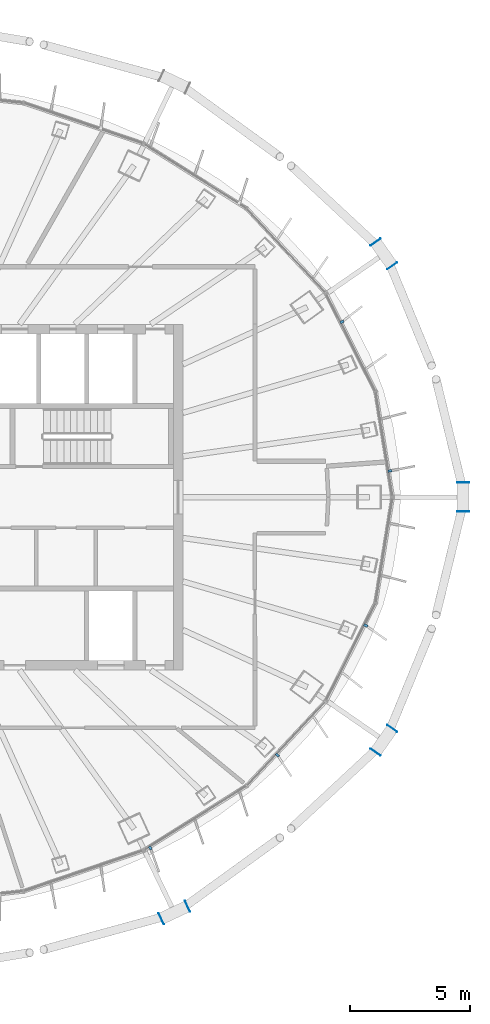
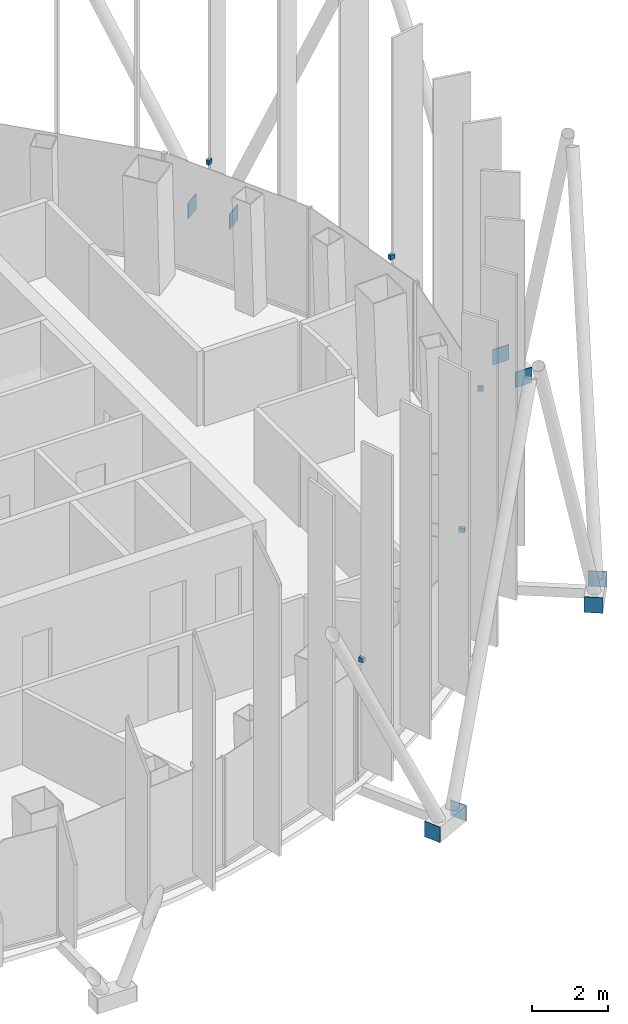
# One storey, part 14 of 19: 13 discrete accessories.
"""IFC4 building model written with IfcOpenShell, lengths in metres."""

from ifc_helpers import new_model, si_unit, direction, frame, origin, origin_2d, place, context, subcontext, project, spatial, rectangle, extrude, material, layer, layer_set, type_object, element, save


model = new_model("IFC4")

# Units and contexts
model_context = context("Model", 3, precision=1e-05, world=origin(), true_north=direction((0.0, 1.0)))
body_context = subcontext(model_context, "Body", "Model", "MODEL_VIEW")
ifc_project = project(units=[si_unit("LENGTHUNIT", "METRE"), si_unit("AREAUNIT", "SQUARE_METRE"), si_unit("VOLUMEUNIT", "CUBIC_METRE"), si_unit("PLANEANGLEUNIT", "RADIAN"), si_unit("MASSUNIT", "GRAM", prefix="KILO")], contexts=[model_context])

# Site, building, storey
site_placement = place(None, origin())
site = spatial("IfcSite", under=ifc_project, at=site_placement, CompositionType="ELEMENT")
building_placement = place(site_placement, origin())
building = spatial("IfcBuilding", under=site, at=building_placement, Name="Siaravel Broadcast Tower", CompositionType="ELEMENT")
storey_placement = place(building_placement, frame((0.0, 0.0, 250.39990234375)))
storey = spatial("IfcBuildingStorey", under=building, at=storey_placement, Name="L61", CompositionType="ELEMENT", Elevation=250.39990234375)

# Discrete accessories
ifc_material_1 = material(Name="Stainless steel 316", Category="steel")
discrete_accessory_type_1 = type_object("IfcDiscreteAccessoryType", Name="Stainless steel fin bracket", PredefinedType="USERDEFINED", material=ifc_material_1)
for number, where, z_axis, x_axis, name in (
    (1, (20.618896484375, 1.092529296875, 3.67529296875), (0.0, 0.0, 1.0), (0.987329198, 0.158685394, 0.0), "Fin bracket L61-01"),
    (2, (18.6259765625, 7.302734375, 3.67529296875), (0.0, 0.0, 1.0), (0.892392939, 0.451259174, 0.0), "Fin bracket L61-04"),
    (3, (10.645263671875, -14.611083984375, 3.67529296875), (0.0, 0.0, 1.0), (0.53215093, -0.846649507, 0.0), "Fin bracket L61-46"),
    (4, (15.935302734375, -10.741943359375, 3.67529296875), (0.0, 0.0, 1.0), (0.729806802, -0.683653445, 0.0), "Fin bracket L61-49"),
    (5, (19.6162109375, -5.3447265625, 3.67529296875), (0.0, 0.0, 1.0), (0.892392939, -0.451259174, 0.0), "Fin bracket L61-52"),
):
    element("IfcDiscreteAccessory", number, at=place(storey_placement, frame(where, z_axis=z_axis, x_axis=x_axis)), inside=storey, type_object=discrete_accessory_type_1, Name=name, ObjectType="BRACKET", PredefinedType="USERDEFINED", context=body_context, shape_type="SweptSolid", body=[
        extrude(rectangle(XDim=0.159912109375, YDim=0.10009765625, at=origin_2d()), origin(), (0.0, 0.0, 1.0), 0.139892578125),
    ])
ifc_material_2 = material(Name="Steel S355", Category="steel")
ifc_layer = layer(ifc_material_2, 0.02001953125)
ifc_layer_set = layer_set([ifc_layer], Name="Steel S355")
discrete_accessory_type_2 = type_object("IfcDiscreteAccessoryType", Name="Steel end plate 20 mm", PredefinedType="USERDEFINED", material=ifc_layer_set)
for number, where, z_axis, x_axis, name in (
    (6, (23.667724609375, 0.603515625, -0.449951171875), (0.0, 0.0, 1.0), (0.0, 1.0, 0.0), "End plate R25 station 00A"),
    (7, (23.667724609375, -0.603515625, -0.449951171875), (0.0, 0.0, 1.0), (0.0, 1.0, 0.0), "End plate R25 station 00B"),
    (8, (20.022705078125, 10.61962890625, -0.449951171875), (0.0, 0.0, 1.0), (-0.576118513, 0.817366172, 0.0), "End plate R25 station 06A"),
    (9, (20.718017578125, 9.63330078125, -0.449951171875), (0.0, 0.0, 1.0), (-0.576118513, 0.817366172, 0.0), "End plate R25 station 06B"),
    (10, (12.19091796875, -17.037353515625, -0.449951171875), (0.0, 0.0, 1.0), (0.904006456, 0.427518805, 0.0), "End plate R25 station 60A"),
    (11, (11.099853515625, -17.55322265625, -0.449951171875), (0.0, 0.0, 1.0), (0.904006456, 0.427518805, 0.0), "End plate R25 station 60B"),
    (12, (20.718017578125, -9.63330078125, -0.449951171875), (0.0, 0.0, 1.0), (0.576118513, 0.817366172, 0.0), "End plate R25 station 66A"),
    (13, (20.022705078125, -10.61962890625, -0.449951171875), (0.0, 0.0, 1.0), (0.576118513, 0.817366172, 0.0), "End plate R25 station 66B"),
):
    element("IfcDiscreteAccessory", number, at=place(storey_placement, frame(where, z_axis=z_axis, x_axis=x_axis)), inside=storey, type_object=discrete_accessory_type_2, Name=name, ObjectType="END PLATE", PredefinedType="USERDEFINED", context=body_context, shape_type="SweptSolid", body=[
        extrude(rectangle(XDim=0.02001953125, YDim=0.5, at=origin_2d()), origin(), (0.0, 0.0, 1.0), 0.5),
    ])

save(model, "model.ifc")
